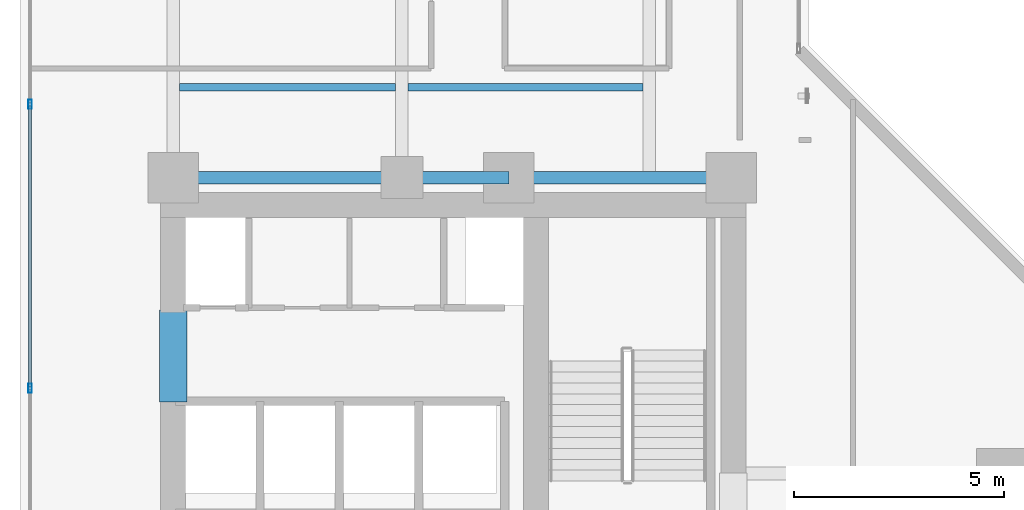
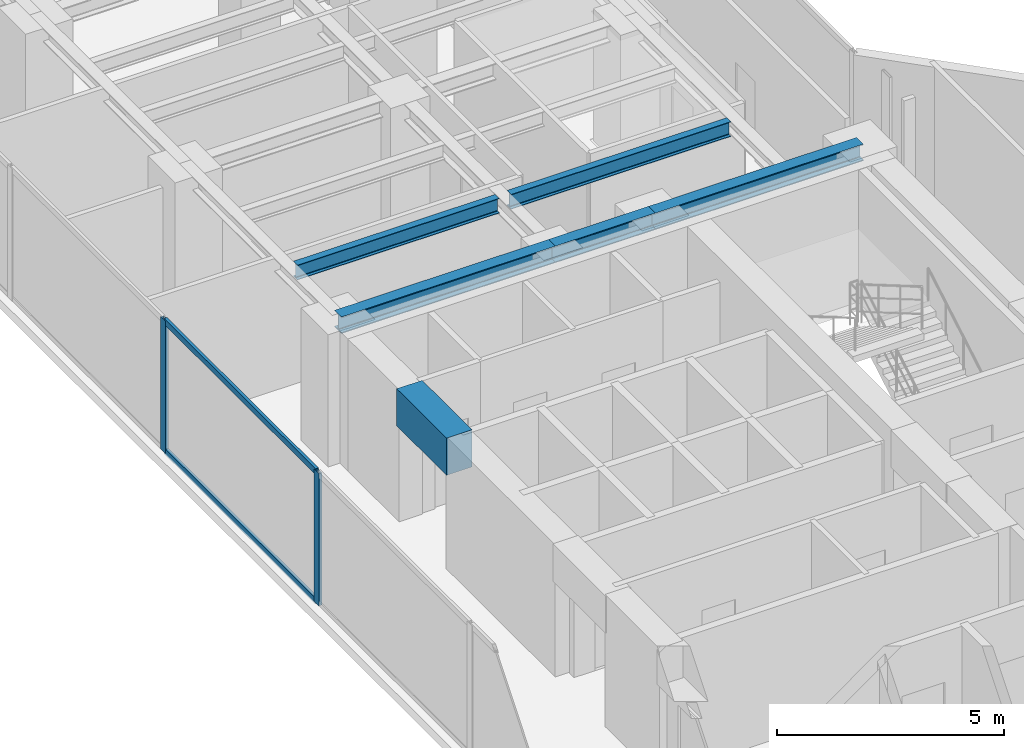
# One storey, part 6 of 26: 6 beams, 4 members, 1 element without a shape of its own.
"""IFC4 building model written with IfcOpenShell, lengths in metres."""

from ifc_helpers import new_model, si_unit, direction, frame, origin, origin_with_axes, origin_2d, place, context, subcontext, project, spatial, rectangle, hollow_rectangle, i_section, extrude, source, transform, mapped, material, layer, layer_set, material_profile, profile_set, type_object, element, aggregate, save


model = new_model("IFC4")

# Units and contexts
model_context = context("Model", 3, precision=1e-05, world=origin(), true_north=direction((0.0, 1.0)))
body_context = subcontext(model_context, "Body", "Model", "MODEL_VIEW")
ifc_project = project(units=[si_unit("LENGTHUNIT", "METRE"), si_unit("AREAUNIT", "SQUARE_METRE"), si_unit("VOLUMEUNIT", "CUBIC_METRE"), si_unit("PLANEANGLEUNIT", "RADIAN"), si_unit("MASSUNIT", "GRAM", prefix="KILO")], contexts=[model_context])

# Site, building, storey
site_placement = place(None, origin())
site = spatial("IfcSite", under=ifc_project, at=site_placement, CompositionType="ELEMENT")
building_placement = place(site_placement, origin())
building = spatial("IfcBuilding", under=site, at=building_placement, Name="Kolvaren Waterfront Exchange", CompositionType="ELEMENT")
storey_placement = place(building_placement, frame((0.0, 0.0, 165.199951171875)))
storey = spatial("IfcBuildingStorey", under=building, at=storey_placement, Name="L42", CompositionType="ELEMENT", Elevation=165.199951171875)

# Beams
ifc_material_1 = material(Name="Steel S355", Category="steel")
ifc_material_profile_1 = material_profile(ifc_material_1, i_section(OverallWidth=0.300048828125, OverallDepth=0.449951171875, WebThickness=0.013916015625, FlangeThickness=0.02587890625, FilletRadius=0.027099609375, at=origin_2d()), Name="HEB450")
ifc_profile_set_1 = profile_set([ifc_material_profile_1], Name="Steel S355")
beam_type_1 = type_object("IfcBeamType", Name="STR-BM-HEB450", PredefinedType="BEAM", material=ifc_profile_set_1)
beam_1_placement = place(storey_placement, frame((7.449951171875, 24.449951171875, 3.3349609375), z_axis=(1.0, 0.0, 0.0), x_axis=(0.0, 1.0, 0.0)))
element("IfcBeam", 1, at=beam_1_placement, inside=storey, type_object=beam_type_1, Name="L42 north-arm girder 1A", PredefinedType="BEAM", context=body_context, shape_type="SweptSolid", body=[
    extrude(i_section(OverallWidth=0.300048828125, OverallDepth=0.449951171875, WebThickness=0.013916015625, FlangeThickness=0.02587890625, FilletRadius=0.027099609375, at=origin_2d()), origin(), (0.0, 0.0, 1.0), 5.449951171875),
])
beam_2_placement = place(storey_placement, frame((12.89990234375, 24.449951171875, 3.3349609375), z_axis=(1.0, 0.0, 0.0), x_axis=(0.0, 1.0, 0.0)))
element("IfcBeam", 2, at=beam_2_placement, inside=storey, type_object=beam_type_1, Name="L42 north-arm girder 1B", PredefinedType="BEAM", context=body_context, shape_type="SweptSolid", body=[
    extrude(i_section(OverallWidth=0.300048828125, OverallDepth=0.449951171875, WebThickness=0.013916015625, FlangeThickness=0.02587890625, FilletRadius=0.027099609375, at=origin_2d()), origin(), (0.0, 0.0, 1.0), 2.550048828125),
])
beam_3_placement = place(storey_placement, frame((15.449951171875, 24.449951171875, 3.3349609375), z_axis=(1.0, 0.0, 0.0), x_axis=(0.0, 1.0, 0.0)))
element("IfcBeam", 3, at=beam_3_placement, inside=storey, type_object=beam_type_1, Name="L42 north-arm girder 1C", PredefinedType="BEAM", context=body_context, shape_type="SweptSolid", body=[
    extrude(i_section(OverallWidth=0.300048828125, OverallDepth=0.449951171875, WebThickness=0.013916015625, FlangeThickness=0.02587890625, FilletRadius=0.027099609375, at=origin_2d()), origin(), (0.0, 0.0, 1.0), 5.300048828125),
])
ifc_material_profile_2 = material_profile(ifc_material_1, i_section(OverallWidth=0.179931640625, OverallDepth=0.39990234375, WebThickness=0.008544921875, FlangeThickness=0.013427734375, FilletRadius=0.02099609375, at=origin_2d()), Name="IPE400")
ifc_profile_set_2 = profile_set([ifc_material_profile_2], Name="Steel S355")
beam_type_2 = type_object("IfcBeamType", Name="STR-BM-IPE400", PredefinedType="JOIST", material=ifc_profile_set_2)
beam_4_placement = place(storey_placement, frame((7.60205078125, 26.60009765625, 3.360107421875), z_axis=(1.0, 0.0, 0.0), x_axis=(0.0, 1.0, 0.0)))
element("IfcBeam", 4, at=beam_4_placement, inside=storey, type_object=beam_type_2, Name="L42 north-arm composite joist 1A", PredefinedType="JOIST", context=body_context, shape_type="SweptSolid", body=[
    extrude(i_section(OverallWidth=0.179931640625, OverallDepth=0.39990234375, WebThickness=0.008544921875, FlangeThickness=0.013427734375, FilletRadius=0.02099609375, at=origin_2d()), origin(), (0.0, 0.0, 1.0), 5.14599609375),
])
beam_5_placement = place(storey_placement, frame((13.052001953125, 26.60009765625, 3.360107421875), z_axis=(1.0, 0.0, 0.0), x_axis=(0.0, 1.0, 0.0)))
element("IfcBeam", 5, at=beam_5_placement, inside=storey, type_object=beam_type_2, Name="L42 north-arm composite joist 1B", PredefinedType="JOIST", context=body_context, shape_type="SweptSolid", body=[
    extrude(i_section(OverallWidth=0.179931640625, OverallDepth=0.39990234375, WebThickness=0.008544921875, FlangeThickness=0.013427734375, FilletRadius=0.02099609375, at=origin_2d()), origin(), (0.0, 0.0, 1.0), 5.595947265625),
])
ifc_material_2 = material(Name="Concrete C60/75", Category="concrete")
ifc_material_profile_3 = material_profile(ifc_material_2, rectangle(XDim=0.64990234375, YDim=1.0, at=origin_2d()), Name="RC-CB-1000x650")
ifc_profile_set_3 = profile_set([ifc_material_profile_3], Name="Concrete C60/75")
beam_type_3 = type_object("IfcBeamType", Name="STR-CB-1000", PredefinedType="SPANDREL", material=ifc_profile_set_3)
beam_6_placement = place(storey_placement, frame((7.449951171875, 19.10009765625, 3.06005859375), z_axis=(0.0, 1.0, 0.0), x_axis=(-1.0, 0.0, 0.0)))
element("IfcBeam", 6, at=beam_6_placement, inside=storey, type_object=beam_type_3, Name="L42 core coupling beam 5", PredefinedType="SPANDREL", context=body_context, shape_type="SweptSolid", body=[
    extrude(rectangle(XDim=0.64990234375, YDim=1.0, at=origin_2d()), origin(), (0.0, 0.0, 1.0), 2.199951171875),
])

# Curtain wall, members
ifc_material_3 = material(Name="Anodised aluminium 6063-T6", Category="aluminium")
ifc_layer = layer(ifc_material_3, 0.219970703125, Name="Anodised aluminium 6063-T6")
ifc_layer_set = layer_set([ifc_layer], Name="Anodised aluminium 6063-T6")
curtain_wall_type = type_object("IfcCurtainWallType", Name="ARC-CW-SYS2", PredefinedType="USERDEFINED", material=ifc_layer_set)
curtain_wall_placement = place(storey_placement, origin())
curtain_wall = element("IfcCurtainWall", 7, at=curtain_wall_placement, inside=storey, type_object=curtain_wall_type, Name="L42 stick curtain wall CW2 (CW-L42-W)", ObjectType="STICK CURTAIN WALL", PredefinedType="USERDEFINED")
ifc_material_profile_4 = material_profile(ifc_material_3, hollow_rectangle(XDim=0.080078125, YDim=0.219970703125, WallThickness=0.0048828125, at=origin_2d()), Name="ALU-MUL-220x80x5")
ifc_profile_set_4 = profile_set([ifc_material_profile_4], Name="Anodised aluminium 6063-T6")
member_type_1 = type_object("IfcMemberType", Name="ARC-CWM-220", PredefinedType="MULLION", material=ifc_profile_set_4)
shared_shape_1 = source(origin_with_axes(), body_context, "Body", "SweptSolid", [
    extrude(hollow_rectangle(XDim=0.080078125, YDim=0.219970703125, WallThickness=0.0048828125, at=origin_2d()), origin(), (0.0, 0.0, 1.0), 3.56005859375),
])
member_1_placement = place(storey_placement, frame((4.0400390625, 19.433349609375, 0.0), z_axis=(0.0, 0.0, 1.0), x_axis=(-1.0, 0.0, 0.0)))
member_1 = element("IfcMember", 8, at=member_1_placement, type_object=member_type_1, Name="CW2 mullion 3", PredefinedType="MULLION", context=body_context, shape_type="MappedRepresentation", body=[
    mapped(shared_shape_1, transform((0.0, 0.0, 0.0), x_axis=(1.0, 0.0, 0.0), y_axis=(0.0, 1.0, 0.0), z_axis=(0.0, 0.0, 1.0), scale=1.0)),
])
member_2_placement = place(storey_placement, frame((4.0400390625, 26.199951171875, 0.0), z_axis=(0.0, 0.0, 1.0), x_axis=(-1.0, 0.0, 0.0)))
member_2 = element("IfcMember", 9, at=member_2_placement, type_object=member_type_1, Name="CW2 mullion 4", PredefinedType="MULLION", context=body_context, shape_type="MappedRepresentation", body=[
    mapped(shared_shape_1, transform((0.0, 0.0, 0.0), x_axis=(1.0, 0.0, 0.0), y_axis=(0.0, 1.0, 0.0), z_axis=(0.0, 0.0, 1.0), scale=1.0)),
])
ifc_material_profile_5 = material_profile(ifc_material_3, hollow_rectangle(XDim=0.074951171875, YDim=0.159912109375, WallThickness=0.00439453125, at=origin_2d()), Name="ALU-TRN-160x75x4.5")
ifc_profile_set_5 = profile_set([ifc_material_profile_5], Name="Anodised aluminium 6063-T6")
member_type_2 = type_object("IfcMemberType", Name="ARC-CWT-160", PredefinedType="USERDEFINED", material=ifc_profile_set_5)
shared_shape_2 = source(origin_with_axes(), body_context, "Body", "SweptSolid", [
    extrude(hollow_rectangle(XDim=0.074951171875, YDim=0.159912109375, WallThickness=0.00439453125, at=origin_2d()), origin(), (0.0, 0.0, 1.0), 6.6865234375),
])
member_3_placement = place(storey_placement, frame((4.0400390625, 19.473388671875, 0.03759765625), z_axis=(0.0, 1.0, 0.0), x_axis=(-1.0, 0.0, 0.0)))
member_3 = element("IfcMember", 10, at=member_3_placement, type_object=member_type_2, Name="CW2 transom 3.1", ObjectType="TRANSOM", PredefinedType="USERDEFINED", context=body_context, shape_type="MappedRepresentation", body=[
    mapped(shared_shape_2, transform((0.0, 0.0, 0.0), x_axis=(1.0, 0.0, 0.0), y_axis=(0.0, 1.0, 0.0), z_axis=(0.0, 0.0, 1.0), scale=1.0)),
])
member_4_placement = place(storey_placement, frame((4.0400390625, 19.473388671875, 3.5224609375), z_axis=(0.0, 1.0, 0.0), x_axis=(-1.0, 0.0, 0.0)))
member_4 = element("IfcMember", 11, at=member_4_placement, type_object=member_type_2, Name="CW2 transom 3.2", ObjectType="TRANSOM", PredefinedType="USERDEFINED", context=body_context, shape_type="MappedRepresentation", body=[
    mapped(shared_shape_2, transform((0.0, 0.0, 0.0), x_axis=(1.0, 0.0, 0.0), y_axis=(0.0, 1.0, 0.0), z_axis=(0.0, 0.0, 1.0), scale=1.0)),
])
aggregate(curtain_wall, [member_1, member_2, member_3, member_4])

save(model, "model.ifc")
